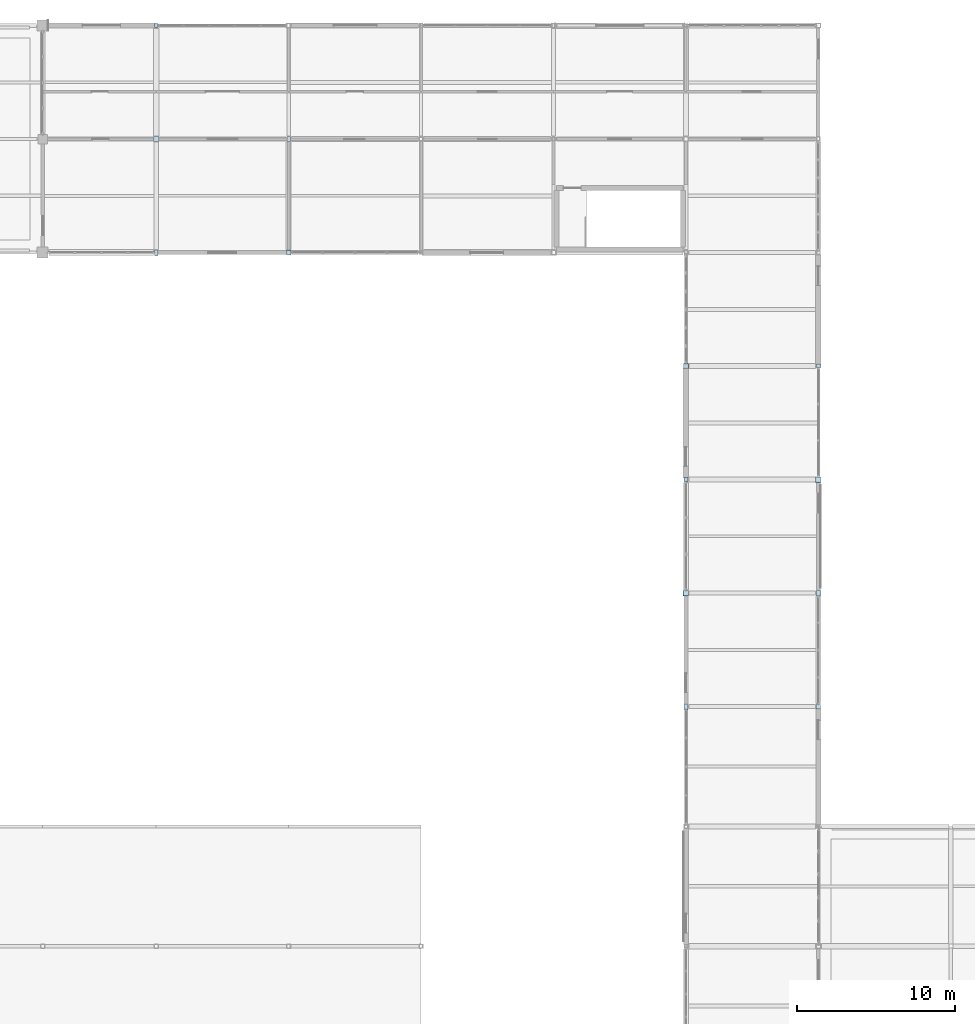
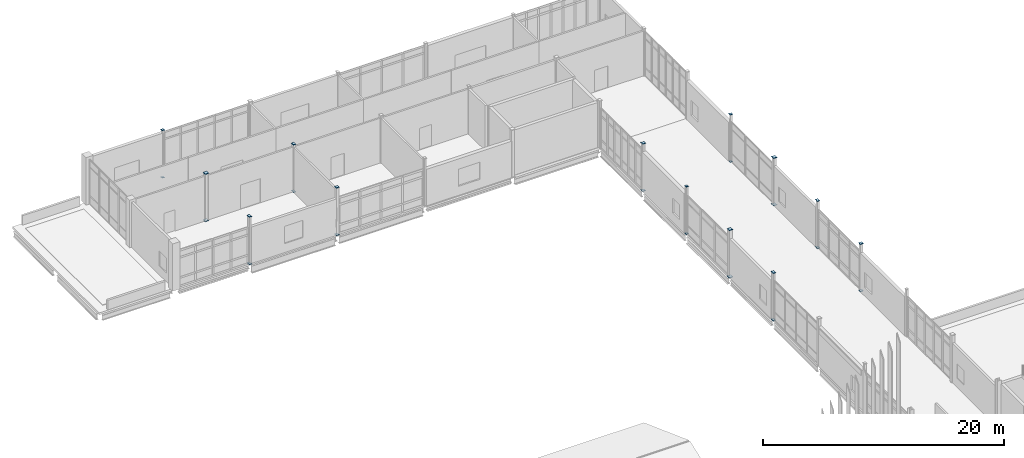
# One storey, part 120 of 153: 26 plates.
"""IFC4 building model written with IfcOpenShell, lengths in metres."""

from ifc_helpers import new_model, si_unit, direction, frame, origin, origin_2d, place, context, subcontext, project, spatial, rectangle, extrude, material, layer, layer_set, type_object, element, save


model = new_model("IFC4")

# Units and contexts
model_context = context("Model", 3, precision=1e-05, world=origin(), true_north=direction((0.0, 1.0)))
body_context = subcontext(model_context, "Body", "Model", "MODEL_VIEW")
ifc_project = project(units=[si_unit("LENGTHUNIT", "METRE"), si_unit("AREAUNIT", "SQUARE_METRE"), si_unit("VOLUMEUNIT", "CUBIC_METRE"), si_unit("PLANEANGLEUNIT", "RADIAN"), si_unit("MASSUNIT", "GRAM", prefix="KILO")], contexts=[model_context])

# Site, building, storey
site_placement = place(None, origin())
site = spatial("IfcSite", under=ifc_project, at=site_placement, CompositionType="ELEMENT")
building_placement = place(site_placement, origin())
building = spatial("IfcBuilding", under=site, at=building_placement, Name="Calvrana Isthmian Art Gallery", CompositionType="ELEMENT")
storey_placement = place(building_placement, frame((0.0, 0.0, 10.199951171875)))
storey = spatial("IfcBuildingStorey", under=building, at=storey_placement, Name="L02", CompositionType="ELEMENT", Elevation=10.199951171875)

# Plates
ifc_material = material(Name="Steel ASTM A572 Gr 50", Category="steel")
ifc_layer = layer(ifc_material, 0.01611328125, Name="Steel ASTM A572 Gr 50")
ifc_layer_set = layer_set([ifc_layer], Name="Steel ASTM A572 Gr 50")
plate_type = type_object("IfcPlateType", Name="PL-CAP-16", PredefinedType="SHEET", material=ifc_layer_set)
for number, where, z_axis, x_axis, name in (
    (1, (21.60009765625, 98.39990234375, -0.008056640625), (0.0, 0.0, 1.0), (1.0, 0.0, 0.0), "Hollow section end cap plate 039"),
    (2, (21.60009765625, 98.39990234375, 4.7919921875), (0.0, 0.0, 1.0), (1.0, 0.0, 0.0), "Hollow section end cap plate 040"),
):
    element("IfcPlate", number, at=place(storey_placement, frame(where, z_axis=z_axis, x_axis=x_axis)), inside=storey, type_object=plate_type, Name=name, PredefinedType="SHEET", context=body_context, shape_type="SweptSolid", body=[
        extrude(rectangle(XDim=0.2431640625, YDim=0.3447265625, at=origin_2d()), origin(), (0.0, 0.0, 1.0), 0.01611328125),
    ])
for number, where, z_axis, x_axis, name in (
    (3, (21.60009765625, 105.60009765625, -0.008056640625), (0.0, 0.0, 1.0), (1.0, 0.0, 0.0), "Hollow section end cap plate 041"),
    (4, (21.60009765625, 105.60009765625, 4.7919921875), (0.0, 0.0, 1.0), (1.0, 0.0, 0.0), "Hollow section end cap plate 042"),
):
    element("IfcPlate", number, at=place(storey_placement, frame(where, z_axis=z_axis, x_axis=x_axis)), inside=storey, type_object=plate_type, Name=name, PredefinedType="SHEET", context=body_context, shape_type="SweptSolid", body=[
        extrude(rectangle(XDim=0.3447265625, YDim=0.3447265625, at=origin_2d()), origin(), (0.0, 0.0, 1.0), 0.01611328125),
    ])
for number, where, z_axis, x_axis, name in (
    (5, (21.60009765625, 112.800048828125, -0.008056640625), (0.0, 0.0, 1.0), (1.0, 0.0, 0.0), "Hollow section end cap plate 043"),
    (6, (21.60009765625, 112.800048828125, 4.7919921875), (0.0, 0.0, 1.0), (1.0, 0.0, 0.0), "Hollow section end cap plate 044"),
):
    element("IfcPlate", number, at=place(storey_placement, frame(where, z_axis=z_axis, x_axis=x_axis)), inside=storey, type_object=plate_type, Name=name, PredefinedType="SHEET", context=body_context, shape_type="SweptSolid", body=[
        extrude(rectangle(XDim=0.2431640625, YDim=0.2431640625, at=origin_2d()), origin(), (0.0, 0.0, 1.0), 0.01611328125),
    ])
for number, where, z_axis, x_axis, name in (
    (7, (30.0, 98.39990234375, -0.008056640625), (0.0, 0.0, 1.0), (1.0, 0.0, 0.0), "Hollow section end cap plate 059"),
    (8, (30.0, 98.39990234375, 4.7919921875), (0.0, 0.0, 1.0), (1.0, 0.0, 0.0), "Hollow section end cap plate 060"),
):
    element("IfcPlate", number, at=place(storey_placement, frame(where, z_axis=z_axis, x_axis=x_axis)), inside=storey, type_object=plate_type, Name=name, PredefinedType="SHEET", context=body_context, shape_type="SweptSolid", body=[
        extrude(rectangle(XDim=0.2939453125, YDim=0.2939453125, at=origin_2d()), origin(), (0.0, 0.0, 1.0), 0.01611328125),
    ])
for number, where, z_axis, x_axis, name in (
    (9, (30.0, 105.60009765625, -0.008056640625), (0.0, 0.0, 1.0), (1.0, 0.0, 0.0), "Hollow section end cap plate 061"),
    (10, (30.0, 105.60009765625, 4.7919921875), (0.0, 0.0, 1.0), (1.0, 0.0, 0.0), "Hollow section end cap plate 062"),
    (11, (55.199951171875, 69.60009765625, -0.008056640625), (0.0, 0.0, 1.0), (1.0, 0.0, 0.0), "Hollow section end cap plate 111"),
    (12, (55.199951171875, 69.60009765625, 4.7919921875), (0.0, 0.0, 1.0), (1.0, 0.0, 0.0), "Hollow section end cap plate 112"),
):
    element("IfcPlate", number, at=place(storey_placement, frame(where, z_axis=z_axis, x_axis=x_axis)), inside=storey, type_object=plate_type, Name=name, PredefinedType="SHEET", context=body_context, shape_type="SweptSolid", body=[
        extrude(rectangle(XDim=0.2431640625, YDim=0.3447265625, at=origin_2d()), origin(), (0.0, 0.0, 1.0), 0.01611328125),
    ])
for number, where, z_axis, x_axis, name in (
    (13, (55.199951171875, 76.800048828125, -0.008056640625), (0.0, 0.0, 1.0), (1.0, 0.0, 0.0), "Hollow section end cap plate 113"),
    (14, (55.199951171875, 76.800048828125, 4.7919921875), (0.0, 0.0, 1.0), (1.0, 0.0, 0.0), "Hollow section end cap plate 114"),
):
    element("IfcPlate", number, at=place(storey_placement, frame(where, z_axis=z_axis, x_axis=x_axis)), inside=storey, type_object=plate_type, Name=name, PredefinedType="SHEET", context=body_context, shape_type="SweptSolid", body=[
        extrude(rectangle(XDim=0.3447265625, YDim=0.3447265625, at=origin_2d()), origin(), (0.0, 0.0, 1.0), 0.01611328125),
    ])
for number, where, z_axis, x_axis, name in (
    (15, (55.199951171875, 84.0, -0.008056640625), (0.0, 0.0, 1.0), (1.0, 0.0, 0.0), "Hollow section end cap plate 115"),
    (16, (55.199951171875, 84.0, 4.7919921875), (0.0, 0.0, 1.0), (1.0, 0.0, 0.0), "Hollow section end cap plate 116"),
):
    element("IfcPlate", number, at=place(storey_placement, frame(where, z_axis=z_axis, x_axis=x_axis)), inside=storey, type_object=plate_type, Name=name, PredefinedType="SHEET", context=body_context, shape_type="SweptSolid", body=[
        extrude(rectangle(XDim=0.2431640625, YDim=0.2431640625, at=origin_2d()), origin(), (0.0, 0.0, 1.0), 0.01611328125),
    ])
for number, where, z_axis, x_axis, name in (
    (17, (55.199951171875, 91.199951171875, -0.008056640625), (0.0, 0.0, 1.0), (1.0, 0.0, 0.0), "Hollow section end cap plate 117"),
    (18, (55.199951171875, 91.199951171875, 4.7919921875), (0.0, 0.0, 1.0), (1.0, 0.0, 0.0), "Hollow section end cap plate 118"),
    (19, (63.60009765625, 69.60009765625, -0.008056640625), (0.0, 0.0, 1.0), (1.0, 0.0, 0.0), "Hollow section end cap plate 143"),
    (20, (63.60009765625, 69.60009765625, 4.7919921875), (0.0, 0.0, 1.0), (1.0, 0.0, 0.0), "Hollow section end cap plate 144"),
):
    element("IfcPlate", number, at=place(storey_placement, frame(where, z_axis=z_axis, x_axis=x_axis)), inside=storey, type_object=plate_type, Name=name, PredefinedType="SHEET", context=body_context, shape_type="SweptSolid", body=[
        extrude(rectangle(XDim=0.2939453125, YDim=0.2939453125, at=origin_2d()), origin(), (0.0, 0.0, 1.0), 0.01611328125),
    ])
for number, where, z_axis, x_axis, name in (
    (21, (63.60009765625, 76.800048828125, -0.008056640625), (0.0, 0.0, 1.0), (1.0, 0.0, 0.0), "Hollow section end cap plate 145"),
    (22, (63.60009765625, 76.800048828125, 4.7919921875), (0.0, 0.0, 1.0), (1.0, 0.0, 0.0), "Hollow section end cap plate 146"),
):
    element("IfcPlate", number, at=place(storey_placement, frame(where, z_axis=z_axis, x_axis=x_axis)), inside=storey, type_object=plate_type, Name=name, PredefinedType="SHEET", context=body_context, shape_type="SweptSolid", body=[
        extrude(rectangle(XDim=0.2431640625, YDim=0.3447265625, at=origin_2d()), origin(), (0.0, 0.0, 1.0), 0.01611328125),
    ])
for number, where, z_axis, x_axis, name in (
    (23, (63.60009765625, 84.0, -0.008056640625), (0.0, 0.0, 1.0), (1.0, 0.0, 0.0), "Hollow section end cap plate 147"),
    (24, (63.60009765625, 84.0, 4.7919921875), (0.0, 0.0, 1.0), (1.0, 0.0, 0.0), "Hollow section end cap plate 148"),
):
    element("IfcPlate", number, at=place(storey_placement, frame(where, z_axis=z_axis, x_axis=x_axis)), inside=storey, type_object=plate_type, Name=name, PredefinedType="SHEET", context=body_context, shape_type="SweptSolid", body=[
        extrude(rectangle(XDim=0.3447265625, YDim=0.3447265625, at=origin_2d()), origin(), (0.0, 0.0, 1.0), 0.01611328125),
    ])
for number, where, z_axis, x_axis, name in (
    (25, (63.60009765625, 91.199951171875, -0.008056640625), (0.0, 0.0, 1.0), (1.0, 0.0, 0.0), "Hollow section end cap plate 149"),
    (26, (63.60009765625, 91.199951171875, 4.7919921875), (0.0, 0.0, 1.0), (1.0, 0.0, 0.0), "Hollow section end cap plate 150"),
):
    element("IfcPlate", number, at=place(storey_placement, frame(where, z_axis=z_axis, x_axis=x_axis)), inside=storey, type_object=plate_type, Name=name, PredefinedType="SHEET", context=body_context, shape_type="SweptSolid", body=[
        extrude(rectangle(XDim=0.2431640625, YDim=0.2431640625, at=origin_2d()), origin(), (0.0, 0.0, 1.0), 0.01611328125),
    ])

save(model, "model.ifc")
